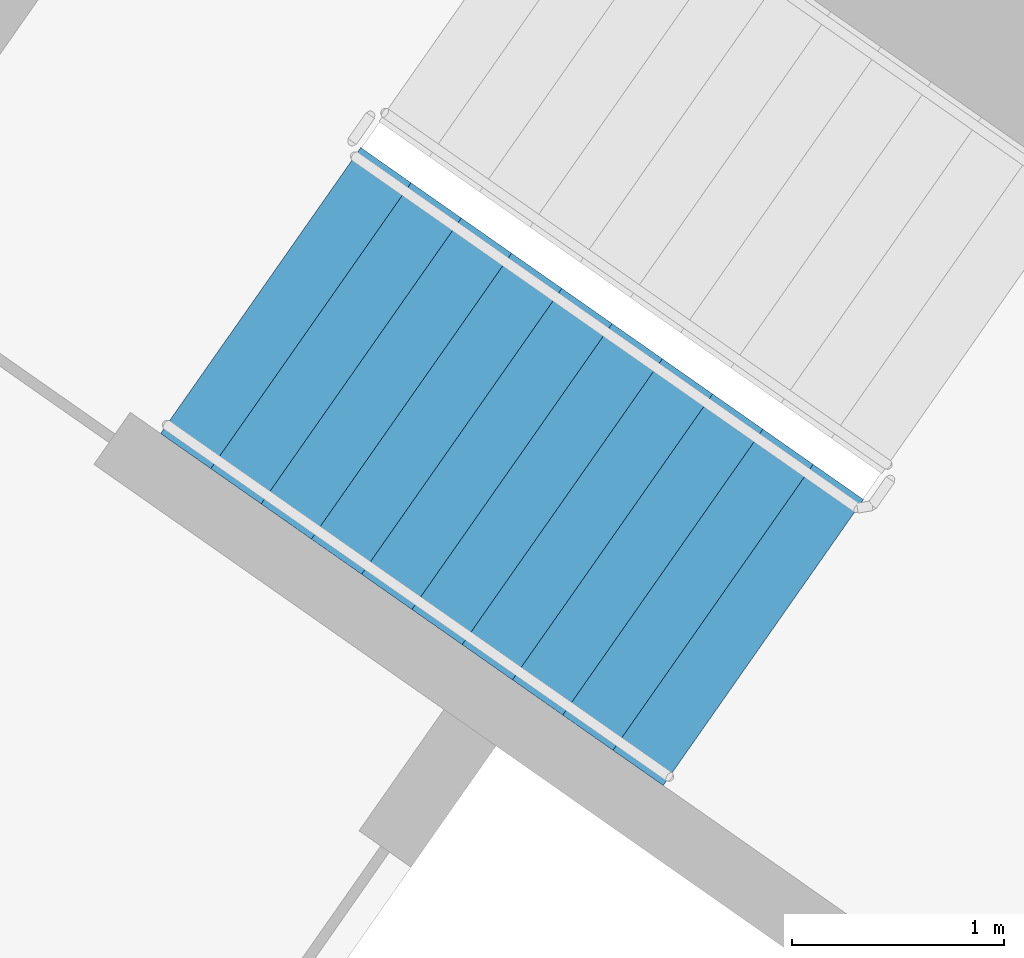
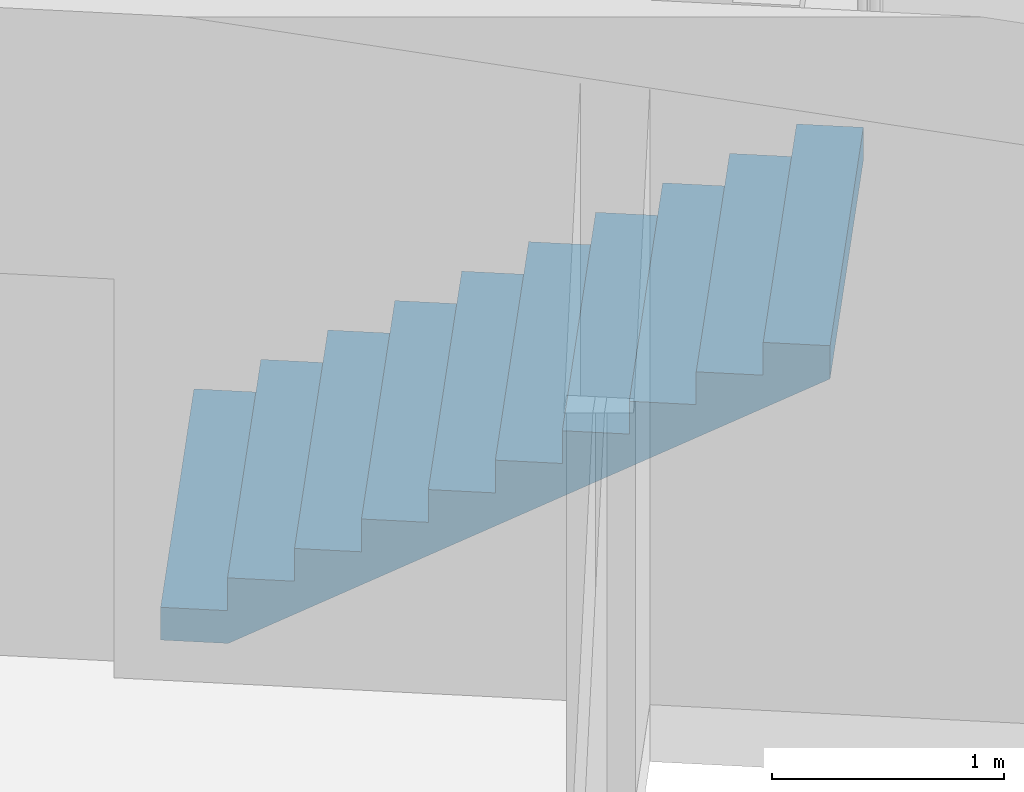
# One storey, part 10 of 27: 1 stair flight, 1 element without a shape of its own.
"""IFC4 building model written with IfcOpenShell, lengths in metres."""

from ifc_helpers import new_model, si_unit, direction, frame, origin, place, context, subcontext, project, spatial, faceted_brep, material, type_object, element, aggregate, save


model = new_model("IFC4")

# Units and contexts
model_context = context("Model", 3, precision=1e-05, world=origin(), true_north=direction((0.0, 1.0)))
body_context = subcontext(model_context, "Body", "Model", "MODEL_VIEW")
ifc_project = project(units=[si_unit("LENGTHUNIT", "METRE"), si_unit("AREAUNIT", "SQUARE_METRE"), si_unit("VOLUMEUNIT", "CUBIC_METRE"), si_unit("PLANEANGLEUNIT", "RADIAN"), si_unit("MASSUNIT", "GRAM", prefix="KILO")], contexts=[model_context])

# Site, building, storey
site_placement = place(None, origin())
site = spatial("IfcSite", under=ifc_project, at=site_placement, CompositionType="ELEMENT")
building_placement = place(site_placement, origin())
building = spatial("IfcBuilding", under=site, at=building_placement, Name="Qamariyya Broadcast Tower", CompositionType="ELEMENT")
storey_placement = place(building_placement, frame((0.0, 0.0, 153.10009765625)))
storey = spatial("IfcBuildingStorey", under=building, at=storey_placement, Name="L35", CompositionType="ELEMENT", Elevation=153.10009765625)

# Stair, stair flight
ifc_material = material(Name="Concrete C50/60", Category="concrete")
stair_type = type_object("IfcStairType", Name="Exit stair 22 risers of 173 mm", PredefinedType="HALF_TURN_STAIR", material=ifc_material)
stair_placement = place(storey_placement, origin())
stair = element("IfcStair", 1, at=stair_placement, inside=storey, type_object=stair_type, Name="L35 Stair W2", PredefinedType="HALF_TURN_STAIR")
stair_flight_type = type_object("IfcStairFlightType", Name="Exit stair flight 11 risers of 173 mm", PredefinedType="STRAIGHT", material=ifc_material)
stair_flight_placement = place(storey_placement, frame((-41.59130859375, -49.15966796875, 0.0), z_axis=(0.0, 0.0, 1.0), x_axis=(0.819152044289, -0.573576436351, 0.0)))
stair_flight = element("IfcStairFlight", 2, at=stair_flight_placement, type_object=stair_flight_type, Name="ST-W2 flight 1", NumberOfRisers=11, NumberOfTreads=10, PredefinedType="STRAIGHT", RiserHeight=0.172727273, TreadLength=0.29, context=body_context, shape_type="Brep", body=[
    faceted_brep([(0.0, 0.824951171875, 0.0), (0.0, 0.824951171875, 0.172607421875), (0.2900390625, 0.824951171875, 0.172607421875), (0.2900390625, 0.824951171875, 0.345458984375), (0.580078125, 0.824951171875, 0.345458984375), (0.580078125, 0.824951171875, 0.51806640625), (0.8701171875, 0.824951171875, 0.51806640625), (0.8701171875, 0.824951171875, 0.69091796875), (1.159912109375, 0.824951171875, 0.69091796875), (1.159912109375, 0.824951171875, 0.863525390625), (1.449951171875, 0.824951171875, 0.863525390625), (1.449951171875, 0.824951171875, 1.036376953125), (1.739990234375, 0.824951171875, 1.036376953125), (1.739990234375, 0.824951171875, 1.208984375), (2.030029296875, 0.824951171875, 1.208984375), (2.030029296875, 0.824951171875, 1.3818359375), (2.320068359375, 0.824951171875, 1.3818359375), (2.320068359375, 0.824951171875, 1.554443359375), (2.610107421875, 0.824951171875, 1.554443359375), (2.610107421875, 0.824951171875, 1.727294921875), (2.89990234375, 0.824951171875, 1.727294921875), (2.89990234375, 0.824951171875, 1.552734375), (0.29296875, 0.824951171875, 0.0), (0.29296875, -0.824951171875, 0.0), (2.89990234375, -0.824951171875, 1.552734375), (2.89990234375, -0.824951171875, 1.727294921875), (2.610107421875, -0.824951171875, 1.727294921875), (2.610107421875, -0.824951171875, 1.554443359375), (2.320068359375, -0.824951171875, 1.554443359375), (2.320068359375, -0.824951171875, 1.3818359375), (2.030029296875, -0.824951171875, 1.3818359375), (2.030029296875, -0.824951171875, 1.208984375), (1.739990234375, -0.824951171875, 1.208984375), (1.739990234375, -0.824951171875, 1.036376953125), (1.449951171875, -0.824951171875, 1.036376953125), (1.449951171875, -0.824951171875, 0.863525390625), (1.159912109375, -0.824951171875, 0.863525390625), (1.159912109375, -0.824951171875, 0.69091796875), (0.8701171875, -0.824951171875, 0.69091796875), (0.8701171875, -0.824951171875, 0.51806640625), (0.580078125, -0.824951171875, 0.51806640625), (0.580078125, -0.824951171875, 0.345458984375), (0.2900390625, -0.824951171875, 0.345458984375), (0.2900390625, -0.824951171875, 0.172607421875), (0.0, -0.824951171875, 0.172607421875), (0.0, -0.824951171875, 0.0), (0.0, 0.10009765625, 0.0), (0.0, 0.086669921875, 0.0), (0.0, 0.0732421875, 0.0), (0.0, 0.06005859375, 0.0), (0.0, 0.046630859375, 0.0), (0.0, 0.033447265625, 0.0), (0.0, 0.02001953125, 0.0), (0.0, 0.006591796875, 0.0), (0.0, -0.006591796875, 0.0), (0.0, -0.02001953125, 0.0), (0.0, -0.033447265625, 0.0), (0.0, -0.046630859375, 0.0), (0.0, -0.06005859375, 0.0), (0.0, -0.0732421875, 0.0), (0.0, -0.086669921875, 0.0), (0.0, -0.10009765625, 0.0), (0.0, -0.10009765625, 0.172607421875), (0.0, -0.086669921875, 0.172607421875), (0.0, -0.0732421875, 0.172607421875), (0.0, -0.06005859375, 0.172607421875), (0.0, -0.046630859375, 0.172607421875), (0.0, -0.033447265625, 0.172607421875), (0.0, -0.02001953125, 0.172607421875), (0.0, -0.006591796875, 0.172607421875), (0.0, 0.006591796875, 0.172607421875), (0.0, 0.02001953125, 0.172607421875), (0.0, 0.033447265625, 0.172607421875), (0.0, 0.046630859375, 0.172607421875), (0.0, 0.06005859375, 0.172607421875), (0.0, 0.0732421875, 0.172607421875), (0.0, 0.086669921875, 0.172607421875), (0.0, 0.10009765625, 0.172607421875), (0.2900390625, -0.10009765625, 0.172607421875), (0.2900390625, -0.086669921875, 0.172607421875), (0.2900390625, -0.0732421875, 0.172607421875), (0.2900390625, -0.06005859375, 0.172607421875), (0.2900390625, -0.046630859375, 0.172607421875), (0.2900390625, -0.033447265625, 0.172607421875), (0.2900390625, -0.02001953125, 0.172607421875), (0.2900390625, -0.006591796875, 0.172607421875), (0.2900390625, 0.006591796875, 0.172607421875), (0.2900390625, 0.02001953125, 0.172607421875), (0.2900390625, 0.033447265625, 0.172607421875), (0.2900390625, 0.046630859375, 0.172607421875), (0.2900390625, 0.06005859375, 0.172607421875), (0.2900390625, 0.0732421875, 0.172607421875), (0.2900390625, 0.086669921875, 0.172607421875), (0.2900390625, 0.10009765625, 0.172607421875), (0.2900390625, -0.10009765625, 0.345458984375), (0.2900390625, -0.086669921875, 0.345458984375), (0.2900390625, -0.0732421875, 0.345458984375), (0.2900390625, -0.06005859375, 0.345458984375), (0.2900390625, -0.046630859375, 0.345458984375), (0.2900390625, -0.033447265625, 0.345458984375), (0.2900390625, -0.02001953125, 0.345458984375), (0.2900390625, -0.006591796875, 0.345458984375), (0.2900390625, 0.006591796875, 0.345458984375), (0.2900390625, 0.02001953125, 0.345458984375), (0.2900390625, 0.033447265625, 0.345458984375), (0.2900390625, 0.046630859375, 0.345458984375), (0.2900390625, 0.06005859375, 0.345458984375), (0.2900390625, 0.0732421875, 0.345458984375), (0.2900390625, 0.086669921875, 0.345458984375), (0.2900390625, 0.10009765625, 0.345458984375), (0.580078125, -0.10009765625, 0.345458984375), (0.580078125, -0.086669921875, 0.345458984375), (0.580078125, -0.0732421875, 0.345458984375), (0.580078125, -0.06005859375, 0.345458984375), (0.580078125, -0.046630859375, 0.345458984375), (0.580078125, -0.033447265625, 0.345458984375), (0.580078125, -0.02001953125, 0.345458984375), (0.580078125, -0.006591796875, 0.345458984375), (0.580078125, 0.006591796875, 0.345458984375), (0.580078125, 0.02001953125, 0.345458984375), (0.580078125, 0.033447265625, 0.345458984375), (0.580078125, 0.046630859375, 0.345458984375), (0.580078125, 0.06005859375, 0.345458984375), (0.580078125, 0.0732421875, 0.345458984375), (0.580078125, 0.086669921875, 0.345458984375), (0.580078125, 0.10009765625, 0.345458984375), (0.580078125, -0.10009765625, 0.51806640625), (0.580078125, -0.086669921875, 0.51806640625), (0.580078125, -0.0732421875, 0.51806640625), (0.580078125, -0.06005859375, 0.51806640625), (0.580078125, -0.046630859375, 0.51806640625), (0.580078125, -0.033447265625, 0.51806640625), (0.580078125, -0.02001953125, 0.51806640625), (0.580078125, -0.006591796875, 0.51806640625), (0.580078125, 0.006591796875, 0.51806640625), (0.580078125, 0.02001953125, 0.51806640625), (0.580078125, 0.033447265625, 0.51806640625), (0.580078125, 0.046630859375, 0.51806640625), (0.580078125, 0.06005859375, 0.51806640625), (0.580078125, 0.0732421875, 0.51806640625), (0.580078125, 0.086669921875, 0.51806640625), (0.580078125, 0.10009765625, 0.51806640625), (0.8701171875, -0.10009765625, 0.51806640625), (0.8701171875, -0.086669921875, 0.51806640625), (0.8701171875, -0.0732421875, 0.51806640625), (0.8701171875, -0.06005859375, 0.51806640625), (0.8701171875, -0.046630859375, 0.51806640625), (0.8701171875, -0.033447265625, 0.51806640625), (0.8701171875, -0.02001953125, 0.51806640625), (0.8701171875, -0.006591796875, 0.51806640625), (0.8701171875, 0.006591796875, 0.51806640625), (0.8701171875, 0.02001953125, 0.51806640625), (0.8701171875, 0.033447265625, 0.51806640625), (0.8701171875, 0.046630859375, 0.51806640625), (0.8701171875, 0.06005859375, 0.51806640625), (0.8701171875, 0.0732421875, 0.51806640625), (0.8701171875, 0.086669921875, 0.51806640625), (0.8701171875, 0.10009765625, 0.51806640625), (0.8701171875, -0.10009765625, 0.69091796875), (0.8701171875, -0.086669921875, 0.69091796875), (0.8701171875, -0.0732421875, 0.69091796875), (0.8701171875, -0.06005859375, 0.69091796875), (0.8701171875, -0.046630859375, 0.69091796875), (0.8701171875, -0.033447265625, 0.69091796875), (0.8701171875, -0.02001953125, 0.69091796875), (0.8701171875, -0.006591796875, 0.69091796875), (0.8701171875, 0.006591796875, 0.69091796875), (0.8701171875, 0.02001953125, 0.69091796875), (0.8701171875, 0.033447265625, 0.69091796875), (0.8701171875, 0.046630859375, 0.69091796875), (0.8701171875, 0.06005859375, 0.69091796875), (0.8701171875, 0.0732421875, 0.69091796875), (0.8701171875, 0.086669921875, 0.69091796875), (0.8701171875, 0.10009765625, 0.69091796875), (1.159912109375, -0.10009765625, 0.69091796875), (1.159912109375, -0.086669921875, 0.69091796875), (1.159912109375, -0.0732421875, 0.69091796875), (1.159912109375, -0.06005859375, 0.69091796875), (1.159912109375, -0.046630859375, 0.69091796875), (1.159912109375, -0.033447265625, 0.69091796875), (1.159912109375, -0.02001953125, 0.69091796875), (1.159912109375, -0.006591796875, 0.69091796875), (1.159912109375, 0.006591796875, 0.69091796875), (1.159912109375, 0.02001953125, 0.69091796875), (1.159912109375, 0.033447265625, 0.69091796875), (1.159912109375, 0.046630859375, 0.69091796875), (1.159912109375, 0.06005859375, 0.69091796875), (1.159912109375, 0.0732421875, 0.69091796875), (1.159912109375, 0.086669921875, 0.69091796875), (1.159912109375, 0.10009765625, 0.69091796875), (1.159912109375, -0.10009765625, 0.863525390625), (1.159912109375, -0.086669921875, 0.863525390625), (1.159912109375, -0.0732421875, 0.863525390625), (1.159912109375, -0.06005859375, 0.863525390625), (1.159912109375, -0.046630859375, 0.863525390625), (1.159912109375, -0.033447265625, 0.863525390625), (1.159912109375, -0.02001953125, 0.863525390625), (1.159912109375, -0.006591796875, 0.863525390625), (1.159912109375, 0.006591796875, 0.863525390625), (1.159912109375, 0.02001953125, 0.863525390625), (1.159912109375, 0.033447265625, 0.863525390625), (1.159912109375, 0.046630859375, 0.863525390625), (1.159912109375, 0.06005859375, 0.863525390625), (1.159912109375, 0.0732421875, 0.863525390625), (1.159912109375, 0.086669921875, 0.863525390625), (1.159912109375, 0.10009765625, 0.863525390625), (1.449951171875, -0.10009765625, 0.863525390625), (1.449951171875, -0.086669921875, 0.863525390625), (1.449951171875, -0.0732421875, 0.863525390625), (1.449951171875, -0.06005859375, 0.863525390625), (1.449951171875, -0.046630859375, 0.863525390625), (1.449951171875, -0.033447265625, 0.863525390625), (1.449951171875, -0.02001953125, 0.863525390625), (1.449951171875, -0.006591796875, 0.863525390625), (1.449951171875, 0.006591796875, 0.863525390625), (1.449951171875, 0.02001953125, 0.863525390625), (1.449951171875, 0.033447265625, 0.863525390625), (1.449951171875, 0.046630859375, 0.863525390625), (1.449951171875, 0.06005859375, 0.863525390625), (1.449951171875, 0.0732421875, 0.863525390625), (1.449951171875, 0.086669921875, 0.863525390625), (1.449951171875, 0.10009765625, 0.863525390625), (1.449951171875, -0.10009765625, 1.036376953125), (1.449951171875, -0.086669921875, 1.036376953125), (1.449951171875, -0.0732421875, 1.036376953125), (1.449951171875, -0.06005859375, 1.036376953125), (1.449951171875, -0.046630859375, 1.036376953125), (1.449951171875, -0.033447265625, 1.036376953125), (1.449951171875, -0.02001953125, 1.036376953125), (1.449951171875, -0.006591796875, 1.036376953125), (1.449951171875, 0.006591796875, 1.036376953125), (1.449951171875, 0.02001953125, 1.036376953125), (1.449951171875, 0.033447265625, 1.036376953125), (1.449951171875, 0.046630859375, 1.036376953125), (1.449951171875, 0.06005859375, 1.036376953125), (1.449951171875, 0.0732421875, 1.036376953125), (1.449951171875, 0.086669921875, 1.036376953125), (1.449951171875, 0.10009765625, 1.036376953125), (1.739990234375, -0.10009765625, 1.036376953125), (1.739990234375, -0.086669921875, 1.036376953125), (1.739990234375, -0.0732421875, 1.036376953125), (1.739990234375, -0.06005859375, 1.036376953125), (1.739990234375, -0.046630859375, 1.036376953125), (1.739990234375, -0.033447265625, 1.036376953125), (1.739990234375, -0.02001953125, 1.036376953125), (1.739990234375, -0.006591796875, 1.036376953125), (1.739990234375, 0.006591796875, 1.036376953125), (1.739990234375, 0.02001953125, 1.036376953125), (1.739990234375, 0.033447265625, 1.036376953125), (1.739990234375, 0.046630859375, 1.036376953125), (1.739990234375, 0.06005859375, 1.036376953125), (1.739990234375, 0.0732421875, 1.036376953125), (1.739990234375, 0.086669921875, 1.036376953125), (1.739990234375, 0.10009765625, 1.036376953125), (1.739990234375, -0.10009765625, 1.208984375), (1.739990234375, -0.086669921875, 1.208984375), (1.739990234375, -0.0732421875, 1.208984375), (1.739990234375, -0.06005859375, 1.208984375), (1.739990234375, -0.046630859375, 1.208984375), (1.739990234375, -0.033447265625, 1.208984375), (1.739990234375, -0.02001953125, 1.208984375), (1.739990234375, -0.006591796875, 1.208984375), (1.739990234375, 0.006591796875, 1.208984375), (1.739990234375, 0.02001953125, 1.208984375), (1.739990234375, 0.033447265625, 1.208984375), (1.739990234375, 0.046630859375, 1.208984375), (1.739990234375, 0.06005859375, 1.208984375), (1.739990234375, 0.0732421875, 1.208984375), (1.739990234375, 0.086669921875, 1.208984375), (1.739990234375, 0.10009765625, 1.208984375), (2.030029296875, -0.10009765625, 1.208984375), (2.030029296875, -0.086669921875, 1.208984375), (2.030029296875, -0.0732421875, 1.208984375), (2.030029296875, -0.06005859375, 1.208984375), (2.030029296875, -0.046630859375, 1.208984375), (2.030029296875, -0.033447265625, 1.208984375), (2.030029296875, -0.02001953125, 1.208984375), (2.030029296875, -0.006591796875, 1.208984375), (2.030029296875, 0.006591796875, 1.208984375), (2.030029296875, 0.02001953125, 1.208984375), (2.030029296875, 0.033447265625, 1.208984375), (2.030029296875, 0.046630859375, 1.208984375), (2.030029296875, 0.06005859375, 1.208984375), (2.030029296875, 0.0732421875, 1.208984375), (2.030029296875, 0.086669921875, 1.208984375), (2.030029296875, 0.10009765625, 1.208984375), (2.030029296875, -0.10009765625, 1.3818359375), (2.030029296875, -0.086669921875, 1.3818359375), (2.030029296875, -0.0732421875, 1.3818359375), (2.030029296875, -0.06005859375, 1.3818359375), (2.030029296875, -0.046630859375, 1.3818359375), (2.030029296875, -0.033447265625, 1.3818359375), (2.030029296875, -0.02001953125, 1.3818359375), (2.030029296875, -0.006591796875, 1.3818359375), (2.030029296875, 0.006591796875, 1.3818359375), (2.030029296875, 0.02001953125, 1.3818359375), (2.030029296875, 0.033447265625, 1.3818359375), (2.030029296875, 0.046630859375, 1.3818359375), (2.030029296875, 0.06005859375, 1.3818359375), (2.030029296875, 0.0732421875, 1.3818359375), (2.030029296875, 0.086669921875, 1.3818359375), (2.030029296875, 0.10009765625, 1.3818359375), (2.320068359375, -0.10009765625, 1.3818359375), (2.320068359375, -0.086669921875, 1.3818359375), (2.320068359375, -0.0732421875, 1.3818359375), (2.320068359375, -0.06005859375, 1.3818359375), (2.320068359375, -0.046630859375, 1.3818359375), (2.320068359375, -0.033447265625, 1.3818359375), (2.320068359375, -0.02001953125, 1.3818359375), (2.320068359375, -0.006591796875, 1.3818359375), (2.320068359375, 0.006591796875, 1.3818359375), (2.320068359375, 0.02001953125, 1.3818359375), (2.320068359375, 0.033447265625, 1.3818359375), (2.320068359375, 0.046630859375, 1.3818359375), (2.320068359375, 0.06005859375, 1.3818359375), (2.320068359375, 0.0732421875, 1.3818359375), (2.320068359375, 0.086669921875, 1.3818359375), (2.320068359375, 0.10009765625, 1.3818359375), (2.320068359375, -0.10009765625, 1.554443359375), (2.320068359375, -0.086669921875, 1.554443359375), (2.320068359375, -0.0732421875, 1.554443359375), (2.320068359375, -0.06005859375, 1.554443359375), (2.320068359375, -0.046630859375, 1.554443359375), (2.320068359375, -0.033447265625, 1.554443359375), (2.320068359375, -0.02001953125, 1.554443359375), (2.320068359375, -0.006591796875, 1.554443359375), (2.320068359375, 0.006591796875, 1.554443359375), (2.320068359375, 0.02001953125, 1.554443359375), (2.320068359375, 0.033447265625, 1.554443359375), (2.320068359375, 0.046630859375, 1.554443359375), (2.320068359375, 0.06005859375, 1.554443359375), (2.320068359375, 0.0732421875, 1.554443359375), (2.320068359375, 0.086669921875, 1.554443359375), (2.320068359375, 0.10009765625, 1.554443359375), (2.610107421875, -0.10009765625, 1.554443359375), (2.610107421875, -0.086669921875, 1.554443359375), (2.610107421875, -0.0732421875, 1.554443359375), (2.610107421875, -0.06005859375, 1.554443359375), (2.610107421875, -0.046630859375, 1.554443359375), (2.610107421875, -0.033447265625, 1.554443359375), (2.610107421875, -0.02001953125, 1.554443359375), (2.610107421875, -0.006591796875, 1.554443359375), (2.610107421875, 0.006591796875, 1.554443359375), (2.610107421875, 0.02001953125, 1.554443359375), (2.610107421875, 0.033447265625, 1.554443359375), (2.610107421875, 0.046630859375, 1.554443359375), (2.610107421875, 0.06005859375, 1.554443359375), (2.610107421875, 0.0732421875, 1.554443359375), (2.610107421875, 0.086669921875, 1.554443359375), (2.610107421875, 0.10009765625, 1.554443359375), (2.610107421875, -0.10009765625, 1.727294921875), (2.610107421875, -0.086669921875, 1.727294921875), (2.610107421875, -0.0732421875, 1.727294921875), (2.610107421875, -0.06005859375, 1.727294921875), (2.610107421875, -0.046630859375, 1.727294921875), (2.610107421875, -0.033447265625, 1.727294921875), (2.610107421875, -0.02001953125, 1.727294921875), (2.610107421875, -0.006591796875, 1.727294921875), (2.610107421875, 0.006591796875, 1.727294921875), (2.610107421875, 0.02001953125, 1.727294921875), (2.610107421875, 0.033447265625, 1.727294921875), (2.610107421875, 0.046630859375, 1.727294921875), (2.610107421875, 0.06005859375, 1.727294921875), (2.610107421875, 0.0732421875, 1.727294921875), (2.610107421875, 0.086669921875, 1.727294921875), (2.610107421875, 0.10009765625, 1.727294921875), (2.89990234375, -0.10009765625, 1.727294921875), (2.89990234375, -0.086669921875, 1.727294921875), (2.89990234375, -0.0732421875, 1.727294921875), (2.89990234375, -0.06005859375, 1.727294921875), (2.89990234375, -0.046630859375, 1.727294921875), (2.89990234375, -0.033447265625, 1.727294921875), (2.89990234375, -0.02001953125, 1.727294921875), (2.89990234375, -0.006591796875, 1.727294921875), (2.89990234375, 0.006591796875, 1.727294921875), (2.89990234375, 0.02001953125, 1.727294921875), (2.89990234375, 0.033447265625, 1.727294921875), (2.89990234375, 0.046630859375, 1.727294921875), (2.89990234375, 0.06005859375, 1.727294921875), (2.89990234375, 0.0732421875, 1.727294921875), (2.89990234375, 0.086669921875, 1.727294921875), (2.89990234375, 0.10009765625, 1.727294921875), (2.89990234375, -0.10009765625, 1.552734375), (2.89990234375, -0.086669921875, 1.552734375), (2.89990234375, -0.0732421875, 1.552734375), (2.89990234375, -0.06005859375, 1.552734375), (2.89990234375, -0.046630859375, 1.552734375), (2.89990234375, -0.033447265625, 1.552734375), (2.89990234375, -0.02001953125, 1.552734375), (2.89990234375, -0.006591796875, 1.552734375), (2.89990234375, 0.006591796875, 1.552734375), (2.89990234375, 0.02001953125, 1.552734375), (2.89990234375, 0.033447265625, 1.552734375), (2.89990234375, 0.046630859375, 1.552734375), (2.89990234375, 0.06005859375, 1.552734375), (2.89990234375, 0.0732421875, 1.552734375), (2.89990234375, 0.086669921875, 1.552734375), (2.89990234375, 0.10009765625, 1.552734375), (0.29296875, -0.10009765625, 0.0), (0.29296875, -0.086669921875, 0.0), (0.29296875, -0.0732421875, 0.0), (0.29296875, -0.06005859375, 0.0), (0.29296875, -0.046630859375, 0.0), (0.29296875, -0.033447265625, 0.0), (0.29296875, -0.02001953125, 0.0), (0.29296875, -0.006591796875, 0.0), (0.29296875, 0.006591796875, 0.0), (0.29296875, 0.02001953125, 0.0), (0.29296875, 0.033447265625, 0.0), (0.29296875, 0.046630859375, 0.0), (0.29296875, 0.06005859375, 0.0), (0.29296875, 0.0732421875, 0.0), (0.29296875, 0.086669921875, 0.0), (0.29296875, 0.10009765625, 0.0)], [[[0, 1, 2, 3, 4, 5, 6, 7, 8, 9, 10, 11, 12, 13, 14, 15, 16, 17, 18, 19, 20, 21, 22]], [[23, 24, 25, 26, 27, 28, 29, 30, 31, 32, 33, 34, 35, 36, 37, 38, 39, 40, 41, 42, 43, 44, 45]], [[0, 46, 47, 48, 49, 50, 51, 52, 53, 54, 55, 56, 57, 58, 59, 60, 61, 45, 44, 62, 63, 64, 65, 66, 67, 68, 69, 70, 71, 72, 73, 74, 75, 76, 77, 1]], [[1, 77, 76, 75, 74, 73, 72, 71, 70, 69, 68, 67, 66, 65, 64, 63, 62, 44, 43, 78, 79, 80, 81, 82, 83, 84, 85, 86, 87, 88, 89, 90, 91, 92, 93, 2]], [[2, 93, 92, 91, 90, 89, 88, 87, 86, 85, 84, 83, 82, 81, 80, 79, 78, 43, 42, 94, 95, 96, 97, 98, 99, 100, 101, 102, 103, 104, 105, 106, 107, 108, 109, 3]], [[3, 109, 108, 107, 106, 105, 104, 103, 102, 101, 100, 99, 98, 97, 96, 95, 94, 42, 41, 110, 111, 112, 113, 114, 115, 116, 117, 118, 119, 120, 121, 122, 123, 124, 125, 4]], [[4, 125, 124, 123, 122, 121, 120, 119, 118, 117, 116, 115, 114, 113, 112, 111, 110, 41, 40, 126, 127, 128, 129, 130, 131, 132, 133, 134, 135, 136, 137, 138, 139, 140, 141, 5]], [[5, 141, 140, 139, 138, 137, 136, 135, 134, 133, 132, 131, 130, 129, 128, 127, 126, 40, 39, 142, 143, 144, 145, 146, 147, 148, 149, 150, 151, 152, 153, 154, 155, 156, 157, 6]], [[6, 157, 156, 155, 154, 153, 152, 151, 150, 149, 148, 147, 146, 145, 144, 143, 142, 39, 38, 158, 159, 160, 161, 162, 163, 164, 165, 166, 167, 168, 169, 170, 171, 172, 173, 7]], [[7, 173, 172, 171, 170, 169, 168, 167, 166, 165, 164, 163, 162, 161, 160, 159, 158, 38, 37, 174, 175, 176, 177, 178, 179, 180, 181, 182, 183, 184, 185, 186, 187, 188, 189, 8]], [[8, 189, 188, 187, 186, 185, 184, 183, 182, 181, 180, 179, 178, 177, 176, 175, 174, 37, 36, 190, 191, 192, 193, 194, 195, 196, 197, 198, 199, 200, 201, 202, 203, 204, 205, 9]], [[9, 205, 204, 203, 202, 201, 200, 199, 198, 197, 196, 195, 194, 193, 192, 191, 190, 36, 35, 206, 207, 208, 209, 210, 211, 212, 213, 214, 215, 216, 217, 218, 219, 220, 221, 10]], [[10, 221, 220, 219, 218, 217, 216, 215, 214, 213, 212, 211, 210, 209, 208, 207, 206, 35, 34, 222, 223, 224, 225, 226, 227, 228, 229, 230, 231, 232, 233, 234, 235, 236, 237, 11]], [[11, 237, 236, 235, 234, 233, 232, 231, 230, 229, 228, 227, 226, 225, 224, 223, 222, 34, 33, 238, 239, 240, 241, 242, 243, 244, 245, 246, 247, 248, 249, 250, 251, 252, 253, 12]], [[12, 253, 252, 251, 250, 249, 248, 247, 246, 245, 244, 243, 242, 241, 240, 239, 238, 33, 32, 254, 255, 256, 257, 258, 259, 260, 261, 262, 263, 264, 265, 266, 267, 268, 269, 13]], [[13, 269, 268, 267, 266, 265, 264, 263, 262, 261, 260, 259, 258, 257, 256, 255, 254, 32, 31, 270, 271, 272, 273, 274, 275, 276, 277, 278, 279, 280, 281, 282, 283, 284, 285, 14]], [[14, 285, 284, 283, 282, 281, 280, 279, 278, 277, 276, 275, 274, 273, 272, 271, 270, 31, 30, 286, 287, 288, 289, 290, 291, 292, 293, 294, 295, 296, 297, 298, 299, 300, 301, 15]], [[15, 301, 300, 299, 298, 297, 296, 295, 294, 293, 292, 291, 290, 289, 288, 287, 286, 30, 29, 302, 303, 304, 305, 306, 307, 308, 309, 310, 311, 312, 313, 314, 315, 316, 317, 16]], [[16, 317, 316, 315, 314, 313, 312, 311, 310, 309, 308, 307, 306, 305, 304, 303, 302, 29, 28, 318, 319, 320, 321, 322, 323, 324, 325, 326, 327, 328, 329, 330, 331, 332, 333, 17]], [[17, 333, 332, 331, 330, 329, 328, 327, 326, 325, 324, 323, 322, 321, 320, 319, 318, 28, 27, 334, 335, 336, 337, 338, 339, 340, 341, 342, 343, 344, 345, 346, 347, 348, 349, 18]], [[18, 349, 348, 347, 346, 345, 344, 343, 342, 341, 340, 339, 338, 337, 336, 335, 334, 27, 26, 350, 351, 352, 353, 354, 355, 356, 357, 358, 359, 360, 361, 362, 363, 364, 365, 19]], [[19, 365, 364, 363, 362, 361, 360, 359, 358, 357, 356, 355, 354, 353, 352, 351, 350, 26, 25, 366, 367, 368, 369, 370, 371, 372, 373, 374, 375, 376, 377, 378, 379, 380, 381, 20]], [[20, 381, 380, 379, 378, 377, 376, 375, 374, 373, 372, 371, 370, 369, 368, 367, 366, 25, 24, 382, 383, 384, 385, 386, 387, 388, 389, 390, 391, 392, 393, 394, 395, 396, 397, 21]], [[21, 397, 396, 395, 394, 393, 392, 391, 390, 389, 388, 387, 386, 385, 384, 383, 382, 24, 23, 398, 399, 400, 401, 402, 403, 404, 405, 406, 407, 408, 409, 410, 411, 412, 413, 22]], [[22, 413, 412, 411, 410, 409, 408, 407, 406, 405, 404, 403, 402, 401, 400, 399, 398, 23, 45, 61, 60, 59, 58, 57, 56, 55, 54, 53, 52, 51, 50, 49, 48, 47, 46, 0]]]),
])
aggregate(stair, [stair_flight])

save(model, "model.ifc")
